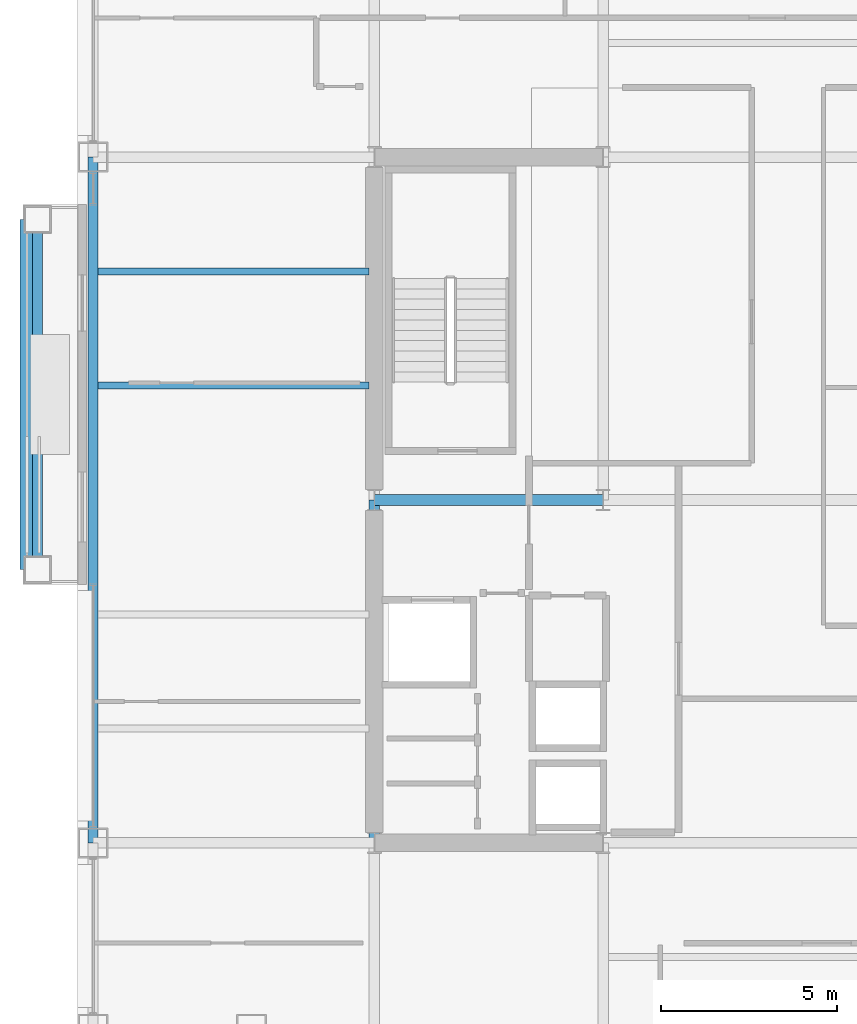
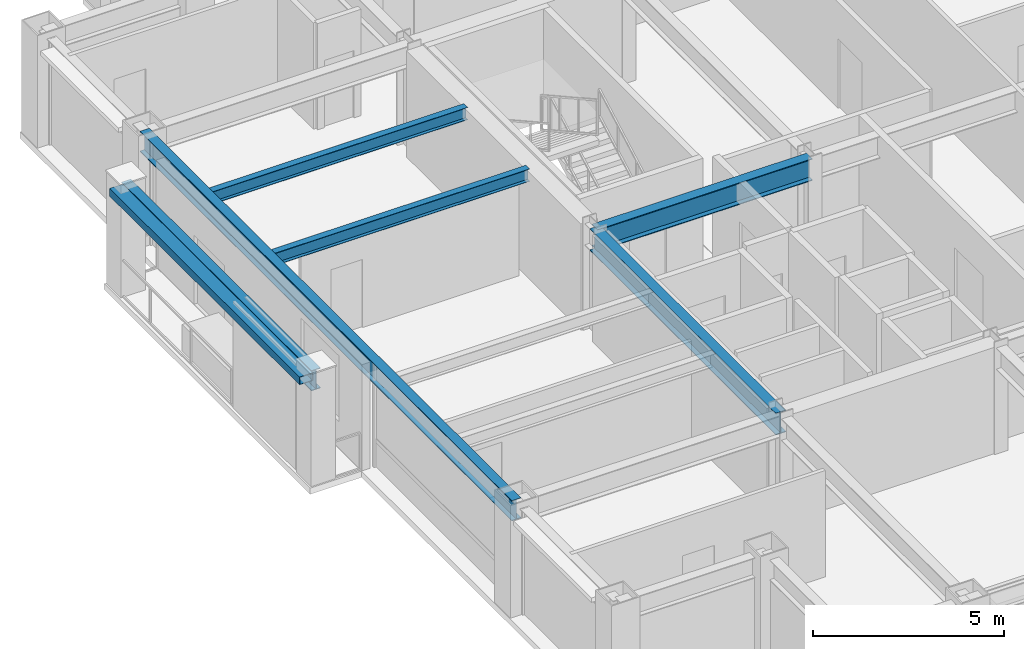
# One storey, part 10 of 31: 6 beams, 1 member.
"""IFC4 building model written with IfcOpenShell, lengths in metres."""

import ifcopenshell
import ifcopenshell.guid

model = None  # the IFC model being written
_history = None  # IfcOwnerHistory: only IFC2X3 demands one
_inside = {}  # id of a spatial element -> (the spatial element, [elements in it])
_under = {}  # id of a project, library or spatial element -> (it, [spatial elements below it])
_declared = {}  # id of a project -> (the project, [libraries it declares])
_typed = {}  # id of a type object -> (the type object, [elements of that type])
_made_of = {}  # id of a material, layer set ... -> (it, [elements and type objects made of it])


def new_model(schema):
    """Start an empty IFC model of exactly this schema.

    Asked for "IFC4X3", IfcOpenShell would pick the latest addendum, in which some entities
    have other attributes; the version numbers below select the first issue.
    IFC2X3 requires an IfcOwnerHistory on every rooted entity: one is made here for all.
    """
    global model, _history
    if schema == "IFC4X3":
        model = ifcopenshell.file(schema_version=(4, 3, 0, 0))
    else:
        model = ifcopenshell.file(schema=schema)
    _inside.clear()
    _under.clear()
    _declared.clear()
    _typed.clear()
    _made_of.clear()
    _history = None
    if model.schema == "IFC2X3":
        org = make("IfcOrganization", Name="unknown")
        user = make(
            "IfcPersonAndOrganization",
            ThePerson=make("IfcPerson", FamilyName="unknown"),
            TheOrganization=org,
        )
        app = make(
            "IfcApplication",
            ApplicationDeveloper=org,
            Version="unknown",
            ApplicationFullName="unknown",
            ApplicationIdentifier="unknown",
        )
        _history = make(
            "IfcOwnerHistory",
            OwningUser=user,
            OwningApplication=app,
            ChangeAction="ADDED",
            CreationDate=0,
        )
    return model


def make(cls, **values):
    """One entity of the class cls with the attributes given. An attribute that is None is left unset."""
    return model.create_entity(
        cls, **{name: value for name, value in values.items() if value is not None}
    )


def rooted(cls, **values):
    """An entity with a GlobalId (a new one), such as an element, a storey or a relation."""
    return make(cls, GlobalId=ifcopenshell.guid.new(), OwnerHistory=_history, **values)


def si_unit(unit_type, name, prefix=None):
    """IfcSIUnit, for example si_unit("LENGTHUNIT", "METRE", prefix="MILLI")."""
    return make("IfcSIUnit", UnitType=unit_type, Prefix=prefix, Name=name)


def assignment(units):
    """IfcUnitAssignment: the units of a project."""
    return None if units is None else make("IfcUnitAssignment", Units=units)


def point(xyz):
    """IfcCartesianPoint."""
    return None if xyz is None else make("IfcCartesianPoint", Coordinates=xyz)


def direction(xyz):
    """IfcDirection."""
    return None if xyz is None else make("IfcDirection", DirectionRatios=xyz)


def frame(location, z_axis=None, x_axis=None):
    """IfcAxis2Placement3D, a coordinate frame: its origin and axes. An axis left out is left unset."""
    return make(
        "IfcAxis2Placement3D",
        Location=point(location),
        Axis=direction(z_axis),
        RefDirection=direction(x_axis),
    )


def frame_2d(location, x_axis=None):
    """IfcAxis2Placement2D, a coordinate frame in the plane: its origin and x axis."""
    return make(
        "IfcAxis2Placement2D", Location=point(location), RefDirection=direction(x_axis)
    )


def origin():
    """The frame at (0, 0, 0) with its axes left unset."""
    return frame((0.0, 0.0, 0.0))


def origin_2d():
    """The frame at (0, 0) in the plane with its x axis left unset."""
    return frame_2d((0.0, 0.0))


def place(relative_to, where):
    """IfcLocalPlacement: puts the frame where relative to a parent placement (None: the world)."""
    return make(
        "IfcLocalPlacement", PlacementRelTo=relative_to, RelativePlacement=where
    )


def context(
    kind, dimensions, precision=None, world=None, true_north=None, identifier=None
):
    """IfcGeometricRepresentationContext, for example the 3D "Model" context."""
    return make(
        "IfcGeometricRepresentationContext",
        ContextIdentifier=identifier,
        ContextType=kind,
        CoordinateSpaceDimension=dimensions,
        Precision=precision,
        WorldCoordinateSystem=world,
        TrueNorth=true_north,
    )


def subcontext(parent, identifier, kind, view, scale=None):
    """IfcGeometricRepresentationSubContext, for example "Body" below "Model"."""
    return make(
        "IfcGeometricRepresentationSubContext",
        ContextIdentifier=identifier,
        ContextType=kind,
        ParentContext=parent,
        TargetScale=scale,
        TargetView=view,
    )


def project(units=None, contexts=None):
    """IfcProject with its units and contexts."""
    return rooted(
        "IfcProject",
        Name="project",
        RepresentationContexts=contexts,
        UnitsInContext=assignment(units),
    )


def spatial(cls, under=None, at=None, **own):
    """A site, building, storey or space (cls), placed at a placement, below another one or the project."""
    s = rooted(cls, ObjectPlacement=at, **own)
    if under is not None:
        _under.setdefault(under.id(), (under, []))[1].append(s)
    return s


def profile(cls, at=None, kind="AREA", **sizes):
    """A parametric profile (cls). Its sizes go by their IFC names, for example OverallWidth=200.0."""
    return make(cls, ProfileType=kind, Position=at, **sizes)


def hollow_rectangle(**sizes):
    """IfcRectangleHollowProfileDef."""
    return profile("IfcRectangleHollowProfileDef", **sizes)


def i_section(**sizes):
    """IfcIShapeProfileDef."""
    return profile("IfcIShapeProfileDef", **sizes)


def extrude(swept, where, along, depth):
    """IfcExtrudedAreaSolid: the profile swept, set in the frame where, extruded along a direction by depth."""
    return make(
        "IfcExtrudedAreaSolid",
        SweptArea=swept,
        Position=where,
        ExtrudedDirection=direction(along),
        Depth=depth,
    )


def shape(context_of_items, identifier, shape_type, items):
    """IfcShapeRepresentation: the items that make up one representation, for example the "Body"."""
    return make(
        "IfcShapeRepresentation",
        ContextOfItems=context_of_items,
        RepresentationIdentifier=identifier,
        RepresentationType=shape_type,
        Items=items,
    )


def material(Name=None, Category=None):
    """IfcMaterial."""
    return make("IfcMaterial", Name=Name, Category=Category)


def material_profile(
    of_material, cross_section, Name=None, Category=None, Priority=None
):
    """IfcMaterialProfile: a cross section and its material."""
    return make(
        "IfcMaterialProfile",
        Name=Name,
        Material=of_material,
        Profile=cross_section,
        Priority=Priority,
        Category=Category,
    )


def profile_set(profiles, Name=None, composite=None):
    """IfcMaterialProfileSet."""
    return make(
        "IfcMaterialProfileSet",
        Name=Name,
        MaterialProfiles=profiles,
        CompositeProfile=composite,
    )


def made_of(thing, what):
    """Note that an element or type object is made of a material, layer set ...; save() writes the relation."""
    if what is not None:
        _made_of.setdefault(what.id(), (what, []))[1].append(thing)
    return thing


def type_object(cls, material=None, **own):
    """A type object (cls), such as IfcWallType, which elements share."""
    return made_of(rooted(cls, **own), material)


def element(
    cls,
    number,
    at=None,
    inside=None,
    cuts=None,
    type_object=None,
    material=None,
    context=None,
    identifier="Body",
    shape_type=None,
    held_by="IfcProductDefinitionShape",
    body=None,
    shapes=None,
    **own,
):
    """One element of the class cls, such as IfcWall. Its Tag is "e" and its number.

    at: its placement. inside: the storey or other place that contains it. cuts: it is an
    opening in that element (IfcRelVoidsElement). A single representation is given by context,
    identifier, shape_type and body (its items); several are given by shapes. held_by: the class
    of the entity that holds the representations. save() writes the other relations.
    """
    e = rooted(cls, Tag="e%d" % number, ObjectPlacement=at, **own)
    if body is not None:
        shapes = [shape(context, identifier, shape_type, body)]
    if shapes is not None:
        e.Representation = make(held_by, Representations=shapes)
    if inside is not None:
        _inside.setdefault(inside.id(), (inside, []))[1].append(e)
    if cuts is not None:
        rooted(
            "IfcRelVoidsElement", RelatingBuildingElement=cuts, RelatedOpeningElement=e
        )
    if type_object is not None:
        _typed.setdefault(type_object.id(), (type_object, []))[1].append(e)
    return made_of(e, material)


def aggregate(whole, parts):
    """IfcRelAggregates: a whole, such as a stair, and the parts it consists of."""
    return rooted("IfcRelAggregates", RelatingObject=whole, RelatedObjects=parts)


def save(model, path):
    """Write the relations noted so far, then the file.

    IfcRelAggregates (storeys below a building ...), IfcRelContainedInSpatialStructure (elements
    in a storey), IfcRelDefinesByType, IfcRelAssociatesMaterial and IfcRelDeclares: one each for
    every whole, place, type object, material and project.
    """
    for whole, parts in _under.values():
        aggregate(whole, parts)
    for where, things in _inside.values():
        rooted(
            "IfcRelContainedInSpatialStructure",
            RelatedElements=things,
            RelatingStructure=where,
        )
    for kind, things in _typed.values():
        rooted("IfcRelDefinesByType", RelatedObjects=things, RelatingType=kind)
    for what, things in _made_of.values():
        rooted("IfcRelAssociatesMaterial", RelatedObjects=things, RelatingMaterial=what)
    for by, libraries in _declared.values():
        rooted("IfcRelDeclares", RelatingContext=by, RelatedDefinitions=libraries)
    model.write(path)


model = new_model("IFC4")

# Units and contexts
model_context = context("Model", 3, precision=1e-05, world=origin(), true_north=direction((0.0, 1.0)))
body_context = subcontext(model_context, "Body", "Model", "MODEL_VIEW")
ifc_project = project(units=[si_unit("LENGTHUNIT", "METRE"), si_unit("AREAUNIT", "SQUARE_METRE"), si_unit("VOLUMEUNIT", "CUBIC_METRE"), si_unit("PLANEANGLEUNIT", "RADIAN"), si_unit("MASSUNIT", "GRAM", prefix="KILO")], contexts=[model_context])

# Site, building, storey
site_placement = place(None, origin())
site = spatial("IfcSite", under=ifc_project, at=site_placement, CompositionType="ELEMENT")
building_placement = place(site_placement, origin())
building = spatial("IfcBuilding", under=site, at=building_placement, Name="Brelmoor Portico Tower", CompositionType="ELEMENT")
storey_placement = place(building_placement, frame((0.0, 0.0, 113.39990234375)))
storey = spatial("IfcBuildingStorey", under=building, at=storey_placement, Name="L29", CompositionType="ELEMENT", Elevation=113.39990234375)

# Beams
ifc_material_1 = material(Name="Steel Q355B", Category="steel")
ifc_material_profile_1 = material_profile(ifc_material_1, i_section(OverallWidth=0.199951171875, OverallDepth=0.39990234375, WebThickness=0.008056640625, FlangeThickness=0.012939453125, at=origin_2d()), Name="HN 400x200x8x13")
ifc_profile_set_1 = profile_set([ifc_material_profile_1], Name="Steel Q355B")
beam_type_1 = type_object("IfcBeamType", Name="BM-JS-400", PredefinedType="JOIST", material=ifc_profile_set_1)
for number, where, z_axis, x_axis, name in (
    (1, (-22.409912109375, 3.25, 3.2001953125), (1.0, 0.0, 0.0), (0.0, 1.0, 0.0), "L29 Secondary Wing Joist JS-W07"),
    (2, (-22.409912109375, 6.5, 3.2001953125), (1.0, 0.0, 0.0), (0.0, 1.0, 0.0), "L29 Secondary Wing Joist JS-W08"),
):
    element("IfcBeam", number, at=place(storey_placement, frame(where, z_axis=z_axis, x_axis=x_axis)), inside=storey, type_object=beam_type_1, Name=name, PredefinedType="JOIST", context=body_context, shape_type="SweptSolid", body=[
        extrude(i_section(OverallWidth=0.199951171875, OverallDepth=0.39990234375, WebThickness=0.008056640625, FlangeThickness=0.012939453125, at=origin_2d()), origin(), (0.0, 0.0, 1.0), 7.7099609375),
    ])
ifc_material_profile_2 = material_profile(ifc_material_1, i_section(OverallWidth=0.300048828125, OverallDepth=0.699951171875, WebThickness=0.012939453125, FlangeThickness=0.02392578125, at=origin_2d()), Name="HN 700x300x13x24")
ifc_profile_set_2 = profile_set([ifc_material_profile_2], Name="Steel Q355B")
beam_type_2 = type_object("IfcBeamType", Name="BM-PG-700", PredefinedType="BEAM", material=ifc_profile_set_2)
beam_1_placement = place(storey_placement, frame((-14.550048828125, -9.75, 3.050048828125), z_axis=(0.0, 1.0, 0.0), x_axis=(-1.0, 0.0, 0.0)))
element("IfcBeam", 3, at=beam_1_placement, inside=storey, type_object=beam_type_2, Name="L29 Primary Floor Girder PG-02", PredefinedType="BEAM", context=body_context, shape_type="SweptSolid", body=[
    extrude(i_section(OverallWidth=0.300048828125, OverallDepth=0.699951171875, WebThickness=0.012939453125, FlangeThickness=0.02392578125, at=origin_2d()), origin(), (0.0, 0.0, 1.0), 9.75),
])
beam_2_placement = place(storey_placement, frame((-14.550048828125, 0.0, 3.050048828125), z_axis=(1.0, 0.0, 0.0), x_axis=(0.0, 1.0, 0.0)))
element("IfcBeam", 4, at=beam_2_placement, inside=storey, type_object=beam_type_2, Name="L29 Primary Floor Girder PG-19", PredefinedType="BEAM", context=body_context, shape_type="SweptSolid", body=[
    extrude(i_section(OverallWidth=0.300048828125, OverallDepth=0.699951171875, WebThickness=0.012939453125, FlangeThickness=0.02392578125, at=origin_2d()), origin(), (0.0, 0.0, 1.0), 6.5),
])
ifc_material_profile_3 = material_profile(ifc_material_1, i_section(OverallWidth=0.280029296875, OverallDepth=0.64990234375, WebThickness=0.012939453125, FlangeThickness=0.02197265625, at=origin_2d()), Name="HN 650x280x13x22")
ifc_profile_set_3 = profile_set([ifc_material_profile_3], Name="Steel Q355B")
beam_type_3 = type_object("IfcBeamType", Name="BM-SP-650", PredefinedType="SPANDREL", material=ifc_profile_set_3)
beam_3_placement = place(storey_placement, frame((-22.550048828125, -9.75, 3.0751953125), z_axis=(0.0, 1.0, 0.0), x_axis=(-1.0, 0.0, 0.0)))
element("IfcBeam", 5, at=beam_3_placement, inside=storey, type_object=beam_type_3, Name="L29 Perimeter Spandrel Beam SP-16", PredefinedType="SPANDREL", context=body_context, shape_type="SweptSolid", body=[
    extrude(i_section(OverallWidth=0.280029296875, OverallDepth=0.64990234375, WebThickness=0.012939453125, FlangeThickness=0.02197265625, at=origin_2d()), origin(), (0.0, 0.0, 1.0), 19.5),
])
beam_4_placement = place(storey_placement, frame((-24.1298828125, -1.97998046875, 3.0751953125), z_axis=(0.0, 1.0, 0.0), x_axis=(-1.0, 0.0, 0.0)))
element("IfcBeam", 6, at=beam_4_placement, inside=storey, type_object=beam_type_3, Name="L29 Picture-Frame Perimeter Lintel Beam W1", PredefinedType="SPANDREL", context=body_context, shape_type="SweptSolid", body=[
    extrude(i_section(OverallWidth=0.280029296875, OverallDepth=0.64990234375, WebThickness=0.012939453125, FlangeThickness=0.02197265625, at=origin_2d()), origin(), (0.0, 0.0, 1.0), 9.9599609375),
])

# Member
ifc_material_2 = material(Name="Pale Champagne Fluoropolymer-Coated Steel Q355B", Category="steel")
ifc_material_profile_4 = material_profile(ifc_material_2, hollow_rectangle(XDim=0.25, YDim=0.39990234375, WallThickness=0.013916015625, at=origin_2d()), Name="RHS 250x400x14")
ifc_profile_set_4 = profile_set([ifc_material_profile_4], Name="Pale Champagne Fluoropolymer-Coated Steel Q355B")
member_type = type_object("IfcMemberType", Name="MB-PF-HEADER", PredefinedType="MEMBER", material=ifc_profile_set_4)
member_placement = place(storey_placement, frame((-24.429931640625, -1.97998046875, 3.2001953125), z_axis=(0.0, 1.0, 0.0), x_axis=(0.0, 0.0, 1.0)))
element("IfcMember", 7, at=member_placement, inside=storey, type_object=member_type, Name="L29 Picture-Frame Header W", PredefinedType="MEMBER", context=body_context, shape_type="SweptSolid", body=[
    extrude(hollow_rectangle(XDim=0.25, YDim=0.39990234375, WallThickness=0.013916015625, at=origin_2d()), origin(), (0.0, 0.0, 1.0), 9.9599609375),
])

save(model, "model.ifc")
